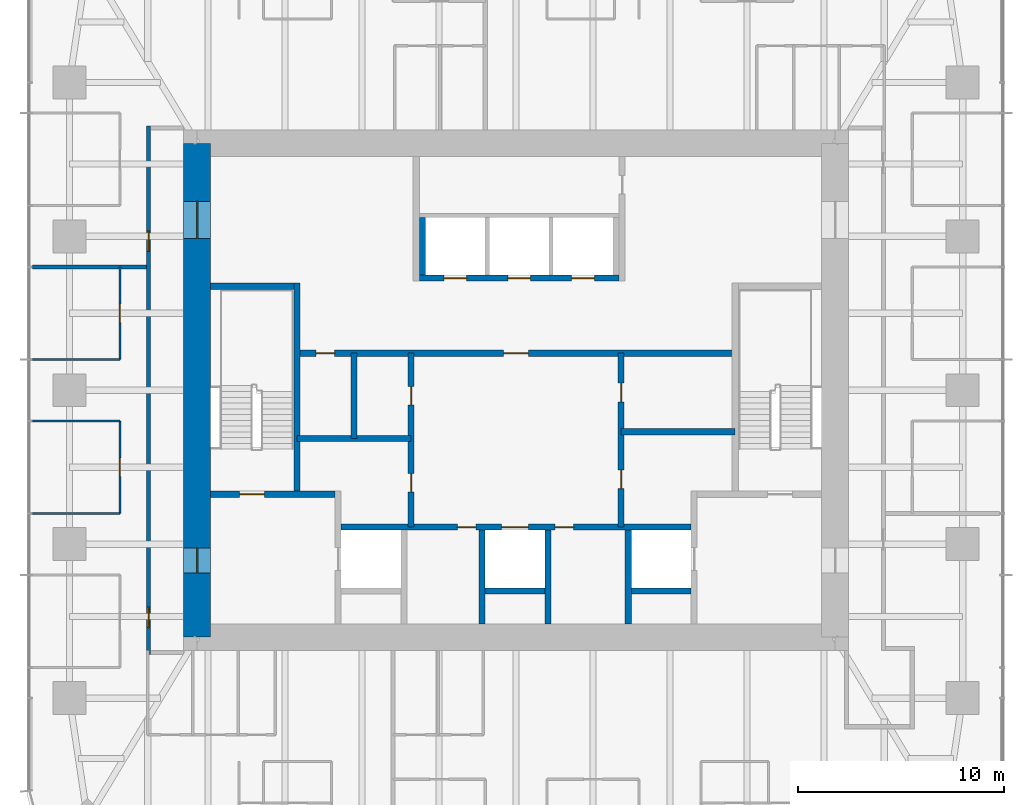
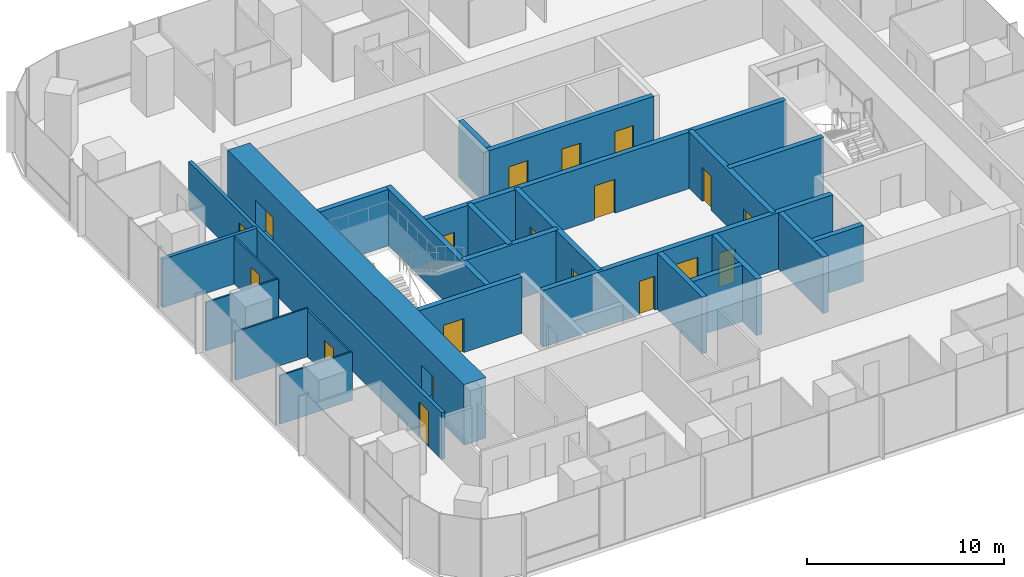
# One storey, part 9 of 12: 25 walls, 19 doors, 19 openings.
"""IFC4 building model written with IfcOpenShell, lengths in metres."""

from ifc_helpers import new_model, si_unit, direction, frame, frame_2d, origin, place, context, subcontext, project, spatial, rectangle, extrude, material, layer, layer_set, type_object, element, fill, save


model = new_model("IFC4")

# Units and contexts
model_context = context("Model", 3, precision=1e-05, world=origin(), true_north=direction((0.0, 1.0)))
body_context = subcontext(model_context, "Body", "Model", "MODEL_VIEW")
ifc_project = project(units=[si_unit("LENGTHUNIT", "METRE"), si_unit("AREAUNIT", "SQUARE_METRE"), si_unit("VOLUMEUNIT", "CUBIC_METRE"), si_unit("PLANEANGLEUNIT", "RADIAN"), si_unit("MASSUNIT", "GRAM", prefix="KILO")], contexts=[model_context])

# Site, building, storey
site_placement = place(None, origin())
site = spatial("IfcSite", under=ifc_project, at=site_placement, CompositionType="ELEMENT")
building_placement = place(site_placement, origin())
building = spatial("IfcBuilding", under=site, at=building_placement, Name="Khuree Lantern Residences", CompositionType="ELEMENT")
storey_placement = place(building_placement, frame((0.0, 0.0, 300.75)))
storey = spatial("IfcBuildingStorey", under=building, at=storey_placement, Name="L75", CompositionType="ELEMENT", Elevation=300.75)

# Wall, openings, doors
ifc_material_1 = material(Name="Dense concrete blockwork", Category="masonry")
ifc_layer_1 = layer(ifc_material_1, 0.300048828125)
ifc_layer_set_1 = layer_set([ifc_layer_1], Name="CORE PARTITION WALL CPW300 EI 120")
wall_type_1 = type_object("IfcWallType", Name="CORE PARTITION WALL CPW300 EI 120", PredefinedType="PARTITIONING", material=ifc_layer_set_1)
wall_1_placement = place(storey_placement, frame((-8.5, -6.64990234375, 0.0), z_axis=(0.0, 0.0, 1.0), x_axis=(1.0, 0.0, 0.0)))
wall_1 = element("IfcWall", 1, at=wall_1_placement, inside=storey, type_object=wall_type_1, Name="L75 CORE WALL FLROW", PredefinedType="PARTITIONING", context=body_context, shape_type="SweptSolid", body=[
    extrude(rectangle(XDim=17.0, YDim=0.300048828125, at=frame_2d((8.5, 0.0))), origin(), (0.0, 0.0, 1.0), 3.5),
])
opening_1_placement = place(wall_1_placement, frame((7.800048828125, 0.0, 0.0)))
opening_1 = element("IfcOpeningElement", 2, at=opening_1_placement, cuts=wall_1, Name="Opening 75-012", PredefinedType="OPENING", context=body_context, shape_type="SweptSolid", body=[
    extrude(rectangle(XDim=1.300048828125, YDim=2.39990234375, at=frame_2d((0.64990234375, 1.199951171875))), frame((0.0, 0.16015625, 0.0), z_axis=(0.0, -1.0, 0.0), x_axis=(1.0, 0.0, 0.0)), (0.0, 0.0, 1.0), 0.320068359375),
])
opening_2_placement = place(wall_1_placement, frame((5.64990234375, 0.0, 0.0)))
opening_2 = element("IfcOpeningElement", 3, at=opening_2_placement, cuts=wall_1, Name="Opening 75-014", PredefinedType="OPENING", context=body_context, shape_type="SweptSolid", body=[
    extrude(rectangle(XDim=0.89990234375, YDim=2.10009765625, at=frame_2d((0.449951171875, 1.050048828125))), frame((0.0, 0.16015625, 0.0), z_axis=(0.0, -1.0, 0.0), x_axis=(1.0, 0.0, 0.0)), (0.0, 0.0, 1.0), 0.320068359375),
])
opening_3_placement = place(wall_1_placement, frame((10.39990234375, 0.0, 0.0)))
opening_3 = element("IfcOpeningElement", 4, at=opening_3_placement, cuts=wall_1, Name="Opening 75-015", PredefinedType="OPENING", context=body_context, shape_type="SweptSolid", body=[
    extrude(rectangle(XDim=0.89990234375, YDim=2.10009765625, at=frame_2d((0.449951171875, 1.050048828125))), frame((0.0, 0.16015625, 0.0), z_axis=(0.0, -1.0, 0.0), x_axis=(1.0, 0.0, 0.0)), (0.0, 0.0, 1.0), 0.320068359375),
])
ifc_material_2 = material(Name="Steel door leaf in steel frame", Category="steel")
door_type_1 = type_object("IfcDoorType", Name="DOOR 900X2100 EI 60", OperationType="SINGLE_SWING_LEFT", PredefinedType="DOOR", material=ifc_material_2)
door_1_placement = place(opening_2_placement, origin())
door_1 = element("IfcDoor", 5, at=door_1_placement, inside=storey, type_object=door_type_1, Name="Refuse chute room door 75-014", OperationType="SINGLE_SWING_LEFT", OverallHeight=2.10009765625, OverallWidth=0.89990234375, PredefinedType="DOOR", context=body_context, shape_type="SweptSolid", body=[
    extrude(rectangle(XDim=0.89990234375, YDim=2.10009765625, at=frame_2d((0.449951171875, 1.050048828125))), frame((0.0, 0.02490234375, 0.0), z_axis=(0.0, -1.0, 0.0), x_axis=(1.0, 0.0, 0.0)), (0.0, 0.0, 1.0), 0.050048828125),
])
fill(opening_2, door_1)
door_type_2 = type_object("IfcDoorType", Name="DOOR 900X2100 EI 60 RIGHT HAND", OperationType="SINGLE_SWING_RIGHT", PredefinedType="DOOR", material=ifc_material_2)
door_2_placement = place(opening_3_placement, origin())
door_2 = element("IfcDoor", 6, at=door_2_placement, inside=storey, type_object=door_type_2, Name="Electrical and plumbing riser door 75-015", OperationType="SINGLE_SWING_RIGHT", OverallHeight=2.10009765625, OverallWidth=0.89990234375, PredefinedType="DOOR", context=body_context, shape_type="SweptSolid", body=[
    extrude(rectangle(XDim=0.89990234375, YDim=2.10009765625, at=frame_2d((0.449951171875, 1.050048828125))), frame((0.0, 0.02490234375, 0.0), z_axis=(0.0, -1.0, 0.0), x_axis=(1.0, 0.0, 0.0)), (0.0, 0.0, 1.0), 0.050048828125),
])
fill(opening_3, door_2)
ifc_material_3 = material(Name="Stainless steel lift landing door", Category="steel")
door_type_3 = type_object("IfcDoorType", Name="LIFT LANDING DOOR 1300X2400 E 60", OperationType="DOUBLE_DOOR_SLIDING", PredefinedType="DOOR", material=ifc_material_3)
door_3_placement = place(opening_1_placement, origin())
door_3 = element("IfcDoor", 7, at=door_3_placement, inside=storey, type_object=door_type_3, Name="Landing door SL1 75-012", OperationType="DOUBLE_DOOR_SLIDING", OverallHeight=2.39990234375, OverallWidth=1.300048828125, PredefinedType="DOOR", context=body_context, shape_type="SweptSolid", body=[
    extrude(rectangle(XDim=1.300048828125, YDim=2.39990234375, at=frame_2d((0.64990234375, 1.199951171875))), frame((0.0, 0.02490234375, 0.0), z_axis=(0.0, -1.0, 0.0), x_axis=(1.0, 0.0, 0.0)), (0.0, 0.0, 1.0), 0.050048828125),
])
fill(opening_1, door_3)

# Walls
for number, where, z_axis, x_axis, name in (
    (8, (-1.64990234375, -11.35009765625, 0.0), (0.0, 0.0, 1.0), (0.0, 1.0, 0.0), "L75 CORE WALL SL1W"),
    (9, (1.550048828125, -11.35009765625, 0.0), (0.0, 0.0, 1.0), (0.0, 1.0, 0.0), "L75 CORE WALL SL1E"),
    (10, (5.449951171875, -11.35009765625, 0.0), (0.0, 0.0, 1.0), (0.0, 1.0, 0.0), "L75 CORE WALL FL2W"),
):
    element("IfcWall", number, at=place(storey_placement, frame(where, z_axis=z_axis, x_axis=x_axis)), inside=storey, type_object=wall_type_1, Name=name, PredefinedType="PARTITIONING", context=body_context, shape_type="SweptSolid", body=[
        extrude(rectangle(XDim=4.550048828125, YDim=0.300048828125, at=frame_2d((2.27490234375, 0.0))), origin(), (0.0, 0.0, 1.0), 3.5),
    ])
for number, where, z_axis, x_axis, name in (
    (11, (-1.5, -9.75, 0.0), (0.0, 0.0, 1.0), (1.0, 0.0, 0.0), "L75 CORE WALL SL1S"),
    (12, (5.60009765625, -9.75, 0.0), (0.0, 0.0, 1.0), (1.0, 0.0, 0.0), "L75 CORE WALL FL2S"),
):
    element("IfcWall", number, at=place(storey_placement, frame(where, z_axis=z_axis, x_axis=x_axis)), inside=storey, type_object=wall_type_1, Name=name, PredefinedType="PARTITIONING", context=body_context, shape_type="SweptSolid", body=[
        extrude(rectangle(XDim=2.89990234375, YDim=0.300048828125, at=frame_2d((1.449951171875, 0.0))), origin(), (0.0, 0.0, 1.0), 3.5),
    ])

# Wall, openings, doors
wall_2_placement = place(storey_placement, frame((-4.699951171875, 5.449951171875, 0.0), z_axis=(0.0, 0.0, 1.0), x_axis=(1.0, 0.0, 0.0)))
wall_2 = element("IfcWall", 13, at=wall_2_placement, inside=storey, type_object=wall_type_1, Name="L75 CORE WALL PHS", PredefinedType="PARTITIONING", context=body_context, shape_type="SweptSolid", body=[
    extrude(rectangle(XDim=9.699951171875, YDim=0.300048828125, at=frame_2d((4.85009765625, 0.0))), origin(), (0.0, 0.0, 1.0), 3.5),
])
opening_4_placement = place(wall_2_placement, frame((1.199951171875, 0.0, 0.0)))
opening_4 = element("IfcOpeningElement", 14, at=opening_4_placement, cuts=wall_2, Name="Opening 75-009", PredefinedType="OPENING", context=body_context, shape_type="SweptSolid", body=[
    extrude(rectangle(XDim=1.10009765625, YDim=2.10009765625, at=frame_2d((0.550048828125, 1.050048828125))), frame((0.0, 0.16015625, 0.0), z_axis=(0.0, -1.0, 0.0), x_axis=(1.0, 0.0, 0.0)), (0.0, 0.0, 1.0), 0.320068359375),
])
opening_5_placement = place(wall_2_placement, frame((4.300048828125, 0.0, 0.0)))
opening_5 = element("IfcOpeningElement", 15, at=opening_5_placement, cuts=wall_2, Name="Opening 75-010", PredefinedType="OPENING", context=body_context, shape_type="SweptSolid", body=[
    extrude(rectangle(XDim=1.10009765625, YDim=2.10009765625, at=frame_2d((0.550048828125, 1.050048828125))), frame((0.0, 0.16015625, 0.0), z_axis=(0.0, -1.0, 0.0), x_axis=(1.0, 0.0, 0.0)), (0.0, 0.0, 1.0), 0.320068359375),
])
opening_6_placement = place(wall_2_placement, frame((7.39990234375, 0.0, 0.0)))
opening_6 = element("IfcOpeningElement", 16, at=opening_6_placement, cuts=wall_2, Name="Opening 75-011", PredefinedType="OPENING", context=body_context, shape_type="SweptSolid", body=[
    extrude(rectangle(XDim=1.10009765625, YDim=2.10009765625, at=frame_2d((0.550048828125, 1.050048828125))), frame((0.0, 0.16015625, 0.0), z_axis=(0.0, -1.0, 0.0), x_axis=(1.0, 0.0, 0.0)), (0.0, 0.0, 1.0), 0.320068359375),
])
door_type_4 = type_object("IfcDoorType", Name="LIFT LANDING DOOR 1100X2100 E 60", OperationType="DOUBLE_DOOR_SLIDING", PredefinedType="DOOR", material=ifc_material_3)
door_4_placement = place(opening_4_placement, origin())
door_4 = element("IfcDoor", 17, at=door_4_placement, inside=storey, type_object=door_type_4, Name="Landing door PH1 75-009", OperationType="DOUBLE_DOOR_SLIDING", OverallHeight=2.10009765625, OverallWidth=1.10009765625, PredefinedType="DOOR", context=body_context, shape_type="SweptSolid", body=[
    extrude(rectangle(XDim=1.10009765625, YDim=2.10009765625, at=frame_2d((0.550048828125, 1.050048828125))), frame((0.0, 0.02490234375, 0.0), z_axis=(0.0, -1.0, 0.0), x_axis=(1.0, 0.0, 0.0)), (0.0, 0.0, 1.0), 0.050048828125),
])
fill(opening_4, door_4)
door_5_placement = place(opening_5_placement, origin())
door_5 = element("IfcDoor", 18, at=door_5_placement, inside=storey, type_object=door_type_4, Name="Landing door PH2 75-010", OperationType="DOUBLE_DOOR_SLIDING", OverallHeight=2.10009765625, OverallWidth=1.10009765625, PredefinedType="DOOR", context=body_context, shape_type="SweptSolid", body=[
    extrude(rectangle(XDim=1.10009765625, YDim=2.10009765625, at=frame_2d((0.550048828125, 1.050048828125))), frame((0.0, 0.02490234375, 0.0), z_axis=(0.0, -1.0, 0.0), x_axis=(1.0, 0.0, 0.0)), (0.0, 0.0, 1.0), 0.050048828125),
])
fill(opening_5, door_5)
door_6_placement = place(opening_6_placement, origin())
door_6 = element("IfcDoor", 19, at=door_6_placement, inside=storey, type_object=door_type_4, Name="Landing door PH3 75-011", OperationType="DOUBLE_DOOR_SLIDING", OverallHeight=2.10009765625, OverallWidth=1.10009765625, PredefinedType="DOOR", context=body_context, shape_type="SweptSolid", body=[
    extrude(rectangle(XDim=1.10009765625, YDim=2.10009765625, at=frame_2d((0.550048828125, 1.050048828125))), frame((0.0, 0.02490234375, 0.0), z_axis=(0.0, -1.0, 0.0), x_axis=(1.0, 0.0, 0.0)), (0.0, 0.0, 1.0), 0.050048828125),
])
fill(opening_6, door_6)

# Wall
wall_3_placement = place(storey_placement, frame((-4.550048828125, 5.60009765625, 0.0), z_axis=(0.0, 0.0, 1.0), x_axis=(0.0, 1.0, 0.0)))
element("IfcWall", 20, at=wall_3_placement, inside=storey, type_object=wall_type_1, Name="L75 CORE WALL PHW", PredefinedType="PARTITIONING", context=body_context, shape_type="SweptSolid", body=[
    extrude(rectangle(XDim=2.7998046875, YDim=0.300048828125, at=frame_2d((1.39990234375, 0.0))), origin(), (0.0, 0.0, 1.0), 3.5),
])

# Wall, openings, doors
wall_4_placement = place(storey_placement, frame((-10.64990234375, 1.800048828125, 0.0), z_axis=(0.0, 0.0, 1.0), x_axis=(1.0, 0.0, 0.0)))
wall_4 = element("IfcWall", 21, at=wall_4_placement, inside=storey, type_object=wall_type_1, Name="L75 CORE WALL LLS", PredefinedType="PARTITIONING", context=body_context, shape_type="SweptSolid", body=[
    extrude(rectangle(XDim=21.2998046875, YDim=0.300048828125, at=frame_2d((10.64990234375, 0.0))), origin(), (0.0, 0.0, 1.0), 3.5),
])
opening_7_placement = place(wall_4_placement, frame((10.050048828125, 0.0, 0.0)))
opening_7 = element("IfcOpeningElement", 22, at=opening_7_placement, cuts=wall_4, Name="Opening 75-013", PredefinedType="OPENING", context=body_context, shape_type="SweptSolid", body=[
    extrude(rectangle(XDim=1.199951171875, YDim=2.10009765625, at=frame_2d((0.60009765625, 1.050048828125))), frame((0.0, 0.16015625, 0.0), z_axis=(0.0, -1.0, 0.0), x_axis=(1.0, 0.0, 0.0)), (0.0, 0.0, 1.0), 0.320068359375),
])
opening_8_placement = place(wall_4_placement, frame((0.93798828125, 0.0, 0.0)))
opening_8 = element("IfcOpeningElement", 23, at=opening_8_placement, cuts=wall_4, Name="Opening 75-018", PredefinedType="OPENING", context=body_context, shape_type="SweptSolid", body=[
    extrude(rectangle(XDim=0.89990234375, YDim=2.10009765625, at=frame_2d((0.449951171875, 1.050048828125))), frame((0.0, 0.16015625, 0.0), z_axis=(0.0, -1.0, 0.0), x_axis=(1.0, 0.0, 0.0)), (0.0, 0.0, 1.0), 0.320068359375),
])
door_type_5 = type_object("IfcDoorType", Name="DOOR 1200X2100 EI 60", OperationType="SINGLE_SWING_LEFT", PredefinedType="DOOR", material=ifc_material_2)
door_7_placement = place(opening_7_placement, origin())
door_7 = element("IfcDoor", 24, at=door_7_placement, inside=storey, type_object=door_type_5, Name="Service lift lobby door 75-013", OperationType="SINGLE_SWING_LEFT", OverallHeight=2.10009765625, OverallWidth=1.199951171875, PredefinedType="DOOR", context=body_context, shape_type="SweptSolid", body=[
    extrude(rectangle(XDim=1.199951171875, YDim=2.10009765625, at=frame_2d((0.60009765625, 1.050048828125))), frame((0.0, 0.02490234375, 0.0), z_axis=(0.0, -1.0, 0.0), x_axis=(1.0, 0.0, 0.0)), (0.0, 0.0, 1.0), 0.050048828125),
])
fill(opening_7, door_7)
ifc_material_4 = material(Name="Timber door leaf in hardwood frame", Category="wood")
door_type_6 = type_object("IfcDoorType", Name="DOOR 900X2100", OperationType="SINGLE_SWING_LEFT", PredefinedType="DOOR", material=ifc_material_4)
door_8_placement = place(opening_8_placement, origin())
door_8 = element("IfcDoor", 25, at=door_8_placement, inside=storey, type_object=door_type_6, Name="IT room door 75-018", OperationType="SINGLE_SWING_LEFT", OverallHeight=2.10009765625, OverallWidth=0.89990234375, PredefinedType="DOOR", context=body_context, shape_type="SweptSolid", body=[
    extrude(rectangle(XDim=0.89990234375, YDim=2.10009765625, at=frame_2d((0.449951171875, 1.050048828125))), frame((0.0, 0.02490234375, 0.0), z_axis=(0.0, -1.0, 0.0), x_axis=(1.0, 0.0, 0.0)), (0.0, 0.0, 1.0), 0.050048828125),
])
fill(opening_8, door_8)

wall_5_placement = place(storey_placement, frame((-5.10009765625, -6.64990234375, 0.0), z_axis=(0.0, 0.0, 1.0), x_axis=(0.0, 1.0, 0.0)))
wall_5 = element("IfcWall", 26, at=wall_5_placement, inside=storey, type_object=wall_type_1, Name="L75 CORE WALL SVW", PredefinedType="PARTITIONING", context=body_context, shape_type="SweptSolid", body=[
    extrude(rectangle(XDim=8.449951171875, YDim=0.300048828125, at=frame_2d((4.22509765625, 0.0))), origin(), (0.0, 0.0, 1.0), 3.5),
])
opening_9_placement = place(wall_5_placement, frame((1.699951171875, 0.0, 0.0)))
opening_9 = element("IfcOpeningElement", 27, at=opening_9_placement, cuts=wall_5, Name="Opening 75-016", PredefinedType="OPENING", context=body_context, shape_type="SweptSolid", body=[
    extrude(rectangle(XDim=0.89990234375, YDim=2.10009765625, at=frame_2d((0.449951171875, 1.050048828125))), frame((0.0, 0.16015625, 0.0), z_axis=(0.0, -1.0, 0.0), x_axis=(1.0, 0.0, 0.0)), (0.0, 0.0, 1.0), 0.320068359375),
])
opening_10_placement = place(wall_5_placement, frame((5.925048828125, 0.0, 0.0)))
opening_10 = element("IfcOpeningElement", 28, at=opening_10_placement, cuts=wall_5, Name="Opening 75-017", PredefinedType="OPENING", context=body_context, shape_type="SweptSolid", body=[
    extrude(rectangle(XDim=0.89990234375, YDim=2.10009765625, at=frame_2d((0.449951171875, 1.050048828125))), frame((0.0, 0.16015625, 0.0), z_axis=(0.0, -1.0, 0.0), x_axis=(1.0, 0.0, 0.0)), (0.0, 0.0, 1.0), 0.320068359375),
])
door_9_placement = place(opening_9_placement, origin())
door_9 = element("IfcDoor", 29, at=door_9_placement, inside=storey, type_object=door_type_6, Name="Bulky waste store door 75-016", OperationType="SINGLE_SWING_LEFT", OverallHeight=2.10009765625, OverallWidth=0.89990234375, PredefinedType="DOOR", context=body_context, shape_type="SweptSolid", body=[
    extrude(rectangle(XDim=0.89990234375, YDim=2.10009765625, at=frame_2d((0.449951171875, 1.050048828125))), frame((0.0, 0.02490234375, 0.0), z_axis=(0.0, -1.0, 0.0), x_axis=(1.0, 0.0, 0.0)), (0.0, 0.0, 1.0), 0.050048828125),
])
fill(opening_9, door_9)
door_10_placement = place(opening_10_placement, origin())
door_10 = element("IfcDoor", 30, at=door_10_placement, inside=storey, type_object=door_type_6, Name="Building management room door 75-017", OperationType="SINGLE_SWING_LEFT", OverallHeight=2.10009765625, OverallWidth=0.89990234375, PredefinedType="DOOR", context=body_context, shape_type="SweptSolid", body=[
    extrude(rectangle(XDim=0.89990234375, YDim=2.10009765625, at=frame_2d((0.449951171875, 1.050048828125))), frame((0.0, 0.02490234375, 0.0), z_axis=(0.0, -1.0, 0.0), x_axis=(1.0, 0.0, 0.0)), (0.0, 0.0, 1.0), 0.050048828125),
])
fill(opening_10, door_10)

wall_6_placement = place(storey_placement, frame((5.10009765625, -6.64990234375, 0.0), z_axis=(0.0, 0.0, 1.0), x_axis=(0.0, 1.0, 0.0)))
wall_6 = element("IfcWall", 31, at=wall_6_placement, inside=storey, type_object=wall_type_1, Name="L75 CORE WALL SVE", PredefinedType="PARTITIONING", context=body_context, shape_type="SweptSolid", body=[
    extrude(rectangle(XDim=8.449951171875, YDim=0.300048828125, at=frame_2d((4.22509765625, 0.0))), origin(), (0.0, 0.0, 1.0), 3.5),
])
opening_11_placement = place(wall_6_placement, frame((1.865966796875, 0.0, 0.0)))
opening_11 = element("IfcOpeningElement", 32, at=opening_11_placement, cuts=wall_6, Name="Opening 75-019", PredefinedType="OPENING", context=body_context, shape_type="SweptSolid", body=[
    extrude(rectangle(XDim=0.89990234375, YDim=2.10009765625, at=frame_2d((0.449951171875, 1.050048828125))), frame((0.0, 0.16015625, 0.0), z_axis=(0.0, -1.0, 0.0), x_axis=(1.0, 0.0, 0.0)), (0.0, 0.0, 1.0), 0.320068359375),
])
opening_12_placement = place(wall_6_placement, frame((6.091064453125, 0.0, 0.0)))
opening_12 = element("IfcOpeningElement", 33, at=opening_12_placement, cuts=wall_6, Name="Opening 75-020", PredefinedType="OPENING", context=body_context, shape_type="SweptSolid", body=[
    extrude(rectangle(XDim=0.89990234375, YDim=2.10009765625, at=frame_2d((0.449951171875, 1.050048828125))), frame((0.0, 0.16015625, 0.0), z_axis=(0.0, -1.0, 0.0), x_axis=(1.0, 0.0, 0.0)), (0.0, 0.0, 1.0), 0.320068359375),
])
door_11_placement = place(opening_11_placement, origin())
door_11 = element("IfcDoor", 34, at=door_11_placement, inside=storey, type_object=door_type_6, Name="Parcel room door 75-019", OperationType="SINGLE_SWING_LEFT", OverallHeight=2.10009765625, OverallWidth=0.89990234375, PredefinedType="DOOR", context=body_context, shape_type="SweptSolid", body=[
    extrude(rectangle(XDim=0.89990234375, YDim=2.10009765625, at=frame_2d((0.449951171875, 1.050048828125))), frame((0.0, 0.02490234375, 0.0), z_axis=(0.0, -1.0, 0.0), x_axis=(1.0, 0.0, 0.0)), (0.0, 0.0, 1.0), 0.050048828125),
])
fill(opening_11, door_11)
door_type_7 = type_object("IfcDoorType", Name="DOOR 900X2100 RIGHT HAND", OperationType="SINGLE_SWING_RIGHT", PredefinedType="DOOR", material=ifc_material_4)
door_12_placement = place(opening_12_placement, origin())
door_12 = element("IfcDoor", 35, at=door_12_placement, inside=storey, type_object=door_type_7, Name="Bulky waste store door 75-020", OperationType="SINGLE_SWING_RIGHT", OverallHeight=2.10009765625, OverallWidth=0.89990234375, PredefinedType="DOOR", context=body_context, shape_type="SweptSolid", body=[
    extrude(rectangle(XDim=0.89990234375, YDim=2.10009765625, at=frame_2d((0.449951171875, 1.050048828125))), frame((0.0, 0.02490234375, 0.0), z_axis=(0.0, -1.0, 0.0), x_axis=(1.0, 0.0, 0.0)), (0.0, 0.0, 1.0), 0.050048828125),
])
fill(opening_12, door_12)

# Walls
wall_7_placement = place(storey_placement, frame((-10.64990234375, -2.35009765625, 0.0), z_axis=(0.0, 0.0, 1.0), x_axis=(1.0, 0.0, 0.0)))
element("IfcWall", 36, at=wall_7_placement, inside=storey, type_object=wall_type_1, Name="L75 CORE WALL WX", PredefinedType="PARTITIONING", context=body_context, shape_type="SweptSolid", body=[
    extrude(rectangle(XDim=5.5498046875, YDim=0.300048828125, at=frame_2d((2.77490234375, 0.0))), origin(), (0.0, 0.0, 1.0), 3.5),
])
wall_8_placement = place(storey_placement, frame((-7.875, -2.35009765625, 0.0), z_axis=(0.0, 0.0, 1.0), x_axis=(0.0, 1.0, 0.0)))
element("IfcWall", 37, at=wall_8_placement, inside=storey, type_object=wall_type_1, Name="L75 CORE WALL WV", PredefinedType="PARTITIONING", context=body_context, shape_type="SweptSolid", body=[
    extrude(rectangle(XDim=4.150146484375, YDim=0.300048828125, at=frame_2d((2.0751953125, 0.0))), origin(), (0.0, 0.0, 1.0), 3.5),
])
wall_9_placement = place(storey_placement, frame((10.64990234375, -2.01806640625, 0.0), z_axis=(0.0, 0.0, 1.0), x_axis=(-1.0, 0.0, 0.0)))
element("IfcWall", 38, at=wall_9_placement, inside=storey, type_object=wall_type_1, Name="L75 CORE WALL EX", PredefinedType="PARTITIONING", context=body_context, shape_type="SweptSolid", body=[
    extrude(rectangle(XDim=5.5498046875, YDim=0.300048828125, at=frame_2d((2.77490234375, 0.0))), origin(), (0.0, 0.0, 1.0), 3.5),
])

# Wall, openings, doors
ifc_material_5 = material(Name="Gypsum board on steel studs", Category="steel")
ifc_layer_2 = layer(ifc_material_5, 0.199951171875)
ifc_layer_set_2 = layer_set([ifc_layer_2], Name="CORRIDOR WALL CRW200 EI 60")
wall_type_2 = type_object("IfcWallType", Name="CORRIDOR WALL CRW200 EI 60", PredefinedType="PARTITIONING", material=ifc_layer_set_2)
wall_10_placement = place(storey_placement, frame((-17.85009765625, 12.85009765625, 0.0), z_axis=(0.0, 0.0, 1.0), x_axis=(0.0, -1.0, 0.0)))
wall_10 = element("IfcWall", 39, at=wall_10_placement, inside=storey, type_object=wall_type_2, Name="L75 CORRIDOR WALL WEST 1", PredefinedType="PARTITIONING", context=body_context, shape_type="SweptSolid", body=[
    extrude(rectangle(XDim=25.7001953125, YDim=0.199951171875, at=frame_2d((12.85009765625, 0.0))), origin(), (0.0, 0.0, 1.0), 2.89990234375),
])
opening_13_placement = place(wall_10_placement, frame((5.10009765625, 0.0, 0.0)))
opening_13 = element("IfcOpeningElement", 40, at=opening_13_placement, cuts=wall_10, Name="Opening 75-038", PredefinedType="OPENING", context=body_context, shape_type="SweptSolid", body=[
    extrude(rectangle(XDim=1.0, YDim=2.199951171875, at=frame_2d((0.5, 1.10009765625))), frame((0.0, 0.10986328125, 0.0), z_axis=(0.0, -1.0, 0.0), x_axis=(1.0, 0.0, 0.0)), (0.0, 0.0, 1.0), 0.219970703125),
])
opening_14_placement = place(wall_10_placement, frame((23.385986328125, 0.0, 0.0)))
opening_14 = element("IfcOpeningElement", 41, at=opening_14_placement, cuts=wall_10, Name="Opening 75-047", PredefinedType="OPENING", context=body_context, shape_type="SweptSolid", body=[
    extrude(rectangle(XDim=1.0, YDim=2.199951171875, at=frame_2d((0.5, 1.10009765625))), frame((0.0, 0.10986328125, 0.0), z_axis=(0.0, -1.0, 0.0), x_axis=(1.0, 0.0, 0.0)), (0.0, 0.0, 1.0), 0.219970703125),
])
door_type_8 = type_object("IfcDoorType", Name="APARTMENT ENTRANCE DOOR 1000X2200 EI 30S", OperationType="SINGLE_SWING_LEFT", PredefinedType="DOOR", material=ifc_material_4)
door_13_placement = place(opening_13_placement, origin())
door_13 = element("IfcDoor", 42, at=door_13_placement, inside=storey, type_object=door_type_8, Name="Apartment 02 entrance door 75-038", OperationType="SINGLE_SWING_LEFT", OverallHeight=2.199951171875, OverallWidth=1.0, PredefinedType="DOOR", context=body_context, shape_type="SweptSolid", body=[
    extrude(rectangle(XDim=1.0, YDim=2.199951171875, at=frame_2d((0.5, 1.10009765625))), frame((0.0, 0.02490234375, 0.0), z_axis=(0.0, -1.0, 0.0), x_axis=(1.0, 0.0, 0.0)), (0.0, 0.0, 1.0), 0.050048828125),
])
fill(opening_13, door_13)
door_type_9 = type_object("IfcDoorType", Name="APARTMENT ENTRANCE DOOR 1000X2200 EI 30S RIGHT HAND", OperationType="SINGLE_SWING_RIGHT", PredefinedType="DOOR", material=ifc_material_4)
door_14_placement = place(opening_14_placement, origin())
door_14 = element("IfcDoor", 43, at=door_14_placement, inside=storey, type_object=door_type_9, Name="Apartment 03 entrance door 75-047", OperationType="SINGLE_SWING_RIGHT", OverallHeight=2.199951171875, OverallWidth=1.0, PredefinedType="DOOR", context=body_context, shape_type="SweptSolid", body=[
    extrude(rectangle(XDim=1.0, YDim=2.199951171875, at=frame_2d((0.5, 1.10009765625))), frame((0.0, 0.02490234375, 0.0), z_axis=(0.0, -1.0, 0.0), x_axis=(1.0, 0.0, 0.0)), (0.0, 0.0, 1.0), 0.050048828125),
])
fill(opening_14, door_14)

ifc_material_6 = material(Name="Concrete C50/60", Category="concrete")
ifc_layer_3 = layer(ifc_material_6, 1.300048828125)
ifc_layer_set_3 = layer_set([ifc_layer_3], Name="CW1300-C50 CORE WALL C50 1300")
wall_type_3 = type_object("IfcWallType", Name="CW1300-C50 CORE WALL C50 1300", PredefinedType="SHEAR", material=ifc_layer_set_3)
wall_11_placement = place(storey_placement, frame((-15.5, -12.0, -0.25), z_axis=(0.0, 0.0, 1.0), x_axis=(0.0, 1.0, 0.0)))
wall_11 = element("IfcWall", 44, at=wall_11_placement, inside=storey, type_object=wall_type_3, Name="Core wall W", PredefinedType="SHEAR", context=body_context, shape_type="SweptSolid", body=[
    extrude(rectangle(XDim=24.0, YDim=1.300048828125, at=frame_2d((12.0, 0.0))), origin(), (0.0, 0.0, 1.0), 3.75),
])
opening_15_placement = place(wall_11_placement, frame((3.125, 0.0, 0.25)))
opening_15 = element("IfcOpeningElement", 45, at=opening_15_placement, cuts=wall_11, Name="Opening 75-002", PredefinedType="OPENING", context=body_context, shape_type="SweptSolid", body=[
    extrude(rectangle(XDim=1.199951171875, YDim=2.10009765625, at=frame_2d((0.60009765625, 1.050048828125))), frame((0.0, 0.66015625, 0.0), z_axis=(0.0, -1.0, 0.0), x_axis=(1.0, 0.0, 0.0)), (0.0, 0.0, 1.0), 1.320068359375),
])
opening_16_placement = place(wall_11_placement, frame((19.375, 0.0, 0.25)))
opening_16 = element("IfcOpeningElement", 46, at=opening_16_placement, cuts=wall_11, Name="Opening 75-003", PredefinedType="OPENING", context=body_context, shape_type="SweptSolid", body=[
    extrude(rectangle(XDim=1.800048828125, YDim=2.10009765625, at=frame_2d((0.89990234375, 1.050048828125))), frame((0.0, 0.66015625, 0.0), z_axis=(0.0, -1.0, 0.0), x_axis=(1.0, 0.0, 0.0)), (0.0, 0.0, 1.0), 1.320068359375),
])
door_type_10 = type_object("IfcDoorType", Name="LOBBY DOOR 1200X2100 EI 120", OperationType="SINGLE_SWING_LEFT", PredefinedType="DOOR", material=ifc_material_2)
door_15_placement = place(opening_15_placement, origin())
door_15 = element("IfcDoor", 47, at=door_15_placement, inside=storey, type_object=door_type_10, Name="Firefighting lobby door 75-002", OperationType="SINGLE_SWING_LEFT", OverallHeight=2.10009765625, OverallWidth=1.199951171875, PredefinedType="DOOR", context=body_context, shape_type="SweptSolid", body=[
    extrude(rectangle(XDim=1.199951171875, YDim=2.10009765625, at=frame_2d((0.60009765625, 1.050048828125))), frame((0.0, 0.02490234375, 0.0), z_axis=(0.0, -1.0, 0.0), x_axis=(1.0, 0.0, 0.0)), (0.0, 0.0, 1.0), 0.050048828125),
])
fill(opening_15, door_15)
door_type_11 = type_object("IfcDoorType", Name="LOBBY DOUBLE DOOR 1800X2100 EI 60", OperationType="DOUBLE_DOOR_SINGLE_SWING", PredefinedType="DOOR", material=ifc_material_2)
door_16_placement = place(opening_16_placement, origin())
door_16 = element("IfcDoor", 48, at=door_16_placement, inside=storey, type_object=door_type_11, Name="Lift lobby door 75-003", OperationType="DOUBLE_DOOR_SINGLE_SWING", OverallHeight=2.10009765625, OverallWidth=1.800048828125, PredefinedType="DOOR", context=body_context, shape_type="SweptSolid", body=[
    extrude(rectangle(XDim=1.800048828125, YDim=2.10009765625, at=frame_2d((0.89990234375, 1.050048828125))), frame((0.0, 0.02490234375, 0.0), z_axis=(0.0, -1.0, 0.0), x_axis=(1.0, 0.0, 0.0)), (0.0, 0.0, 1.0), 0.050048828125),
])
fill(opening_16, door_16)

# Walls
ifc_layer_4 = layer(ifc_material_5, 0.199951171875)
ifc_layer_set_4 = layer_set([ifc_layer_4], Name="DEMISING WALL DMW200 EI 90")
wall_type_4 = type_object("IfcWallType", Name="DEMISING WALL DMW200 EI 90", PredefinedType="PARTITIONING", material=ifc_layer_set_4)
wall_12_placement = place(storey_placement, frame((-17.949951171875, 5.98388671875, 0.0), z_axis=(0.0, 0.0, 1.0), x_axis=(-1.0, 0.0, 0.0)))
element("IfcWall", 49, at=wall_12_placement, inside=storey, type_object=wall_type_4, Name="L75 DEMISING WALL 03", PredefinedType="PARTITIONING", context=body_context, shape_type="SweptSolid", body=[
    extrude(rectangle(XDim=5.550048828125, YDim=0.199951171875, at=frame_2d((2.77490234375, 0.0))), origin(), (0.0, 0.0, 1.0), 3.010009765625),
])
ifc_layer_5 = layer(ifc_material_5, 0.10009765625)
ifc_layer_set_5 = layer_set([ifc_layer_5], Name="PARTITION PT100")
wall_type_5 = type_object("IfcWallType", Name="PARTITION PT100", PredefinedType="PARTITIONING", material=ifc_layer_set_5)
for number, where, z_axis, x_axis, name in (
    (50, (-19.25, 1.49609375, 0.0), (0.0, 0.0, 1.0), (-1.0, 0.0, 0.0), "L75 PARTITION 03"),
    (51, (-19.25, -1.49609375, 0.0), (0.0, 0.0, 1.0), (-1.0, 0.0, 0.0), "L75 PARTITION 03"),
    (52, (-19.25, -5.98388671875, 0.0), (0.0, 0.0, 1.0), (-1.0, 0.0, 0.0), "L75 PARTITION 03"),
):
    element("IfcWall", number, at=place(storey_placement, frame(where, z_axis=z_axis, x_axis=x_axis)), inside=storey, type_object=wall_type_5, Name=name, PredefinedType="PARTITIONING", context=body_context, shape_type="SweptSolid", body=[
        extrude(rectangle(XDim=4.25, YDim=0.10009765625, at=frame_2d((2.125, 0.0))), origin(), (0.0, 0.0, 1.0), 3.010009765625),
    ])

# Wall, opening, door
wall_13_placement = place(storey_placement, frame((-19.25, 5.98388671875, 0.0), z_axis=(0.0, 0.0, 1.0), x_axis=(0.0, -1.0, 0.0)))
wall_13 = element("IfcWall", 53, at=wall_13_placement, inside=storey, type_object=wall_type_5, Name="L75 PARTITION 03", PredefinedType="PARTITIONING", context=body_context, shape_type="SweptSolid", body=[
    extrude(rectangle(XDim=4.48779296875, YDim=0.10009765625, at=frame_2d((2.243896484375, 0.0))), origin(), (0.0, 0.0, 1.0), 2.909912109375),
])
opening_17_placement = place(wall_13_placement, frame((1.7939453125, 0.0, 0.0)))
opening_17 = element("IfcOpeningElement", 54, at=opening_17_placement, cuts=wall_13, Name="Opening 75-039", PredefinedType="OPENING", context=body_context, shape_type="SweptSolid", body=[
    extrude(rectangle(XDim=0.89990234375, YDim=2.10009765625, at=frame_2d((0.449951171875, 1.050048828125))), frame((0.0, 0.06005859375, 0.0), z_axis=(0.0, -1.0, 0.0), x_axis=(1.0, 0.0, 0.0)), (0.0, 0.0, 1.0), 0.1201171875),
])
door_type_12 = type_object("IfcDoorType", Name="BEDROOM DOOR 900X2100", OperationType="SINGLE_SWING_LEFT", PredefinedType="DOOR", material=ifc_material_4)
door_17_placement = place(opening_17_placement, origin())
door_17 = element("IfcDoor", 55, at=door_17_placement, inside=storey, type_object=door_type_12, Name="Bedroom door 75-039", OperationType="SINGLE_SWING_LEFT", OverallHeight=2.10009765625, OverallWidth=0.89990234375, PredefinedType="DOOR", context=body_context, shape_type="SweptSolid", body=[
    extrude(rectangle(XDim=0.89990234375, YDim=2.10009765625, at=frame_2d((0.449951171875, 1.050048828125))), frame((0.0, 0.02490234375, 0.0), z_axis=(0.0, -1.0, 0.0), x_axis=(1.0, 0.0, 0.0)), (0.0, 0.0, 1.0), 0.050048828125),
])
fill(opening_17, door_17)

wall_14_placement = place(storey_placement, frame((-19.25, -1.49609375, 0.0), z_axis=(0.0, 0.0, 1.0), x_axis=(0.0, -1.0, 0.0)))
wall_14 = element("IfcWall", 56, at=wall_14_placement, inside=storey, type_object=wall_type_5, Name="L75 PARTITION 03", PredefinedType="PARTITIONING", context=body_context, shape_type="SweptSolid", body=[
    extrude(rectangle(XDim=4.48779296875, YDim=0.10009765625, at=frame_2d((2.243896484375, 0.0))), origin(), (0.0, 0.0, 1.0), 2.909912109375),
])
opening_18_placement = place(wall_14_placement, frame((1.7939453125, 0.0, 0.0)))
opening_18 = element("IfcOpeningElement", 57, at=opening_18_placement, cuts=wall_14, Name="Opening 75-040", PredefinedType="OPENING", context=body_context, shape_type="SweptSolid", body=[
    extrude(rectangle(XDim=0.89990234375, YDim=2.10009765625, at=frame_2d((0.449951171875, 1.050048828125))), frame((0.0, 0.06005859375, 0.0), z_axis=(0.0, -1.0, 0.0), x_axis=(1.0, 0.0, 0.0)), (0.0, 0.0, 1.0), 0.1201171875),
])
door_18_placement = place(opening_18_placement, origin())
door_18 = element("IfcDoor", 58, at=door_18_placement, inside=storey, type_object=door_type_12, Name="Bedroom door 75-040", OperationType="SINGLE_SWING_LEFT", OverallHeight=2.10009765625, OverallWidth=0.89990234375, PredefinedType="DOOR", context=body_context, shape_type="SweptSolid", body=[
    extrude(rectangle(XDim=0.89990234375, YDim=2.10009765625, at=frame_2d((0.449951171875, 1.050048828125))), frame((0.0, 0.02490234375, 0.0), z_axis=(0.0, -1.0, 0.0), x_axis=(1.0, 0.0, 0.0)), (0.0, 0.0, 1.0), 0.050048828125),
])
fill(opening_18, door_18)

# Wall
ifc_layer_6 = layer(ifc_material_6, 0.300048828125)
ifc_layer_set_6 = layer_set([ifc_layer_6], Name="STAIR WALL SRW300 C50/60 REI 240")
wall_type_6 = type_object("IfcWallType", Name="STAIR WALL SRW300 C50/60 REI 240", PredefinedType="SOLIDWALL", material=ifc_layer_set_6)
wall_15_placement = place(storey_placement, frame((-10.64990234375, -4.89990234375, 0.0), z_axis=(0.0, 0.0, 1.0), x_axis=(0.0, 1.0, 0.0)))
element("IfcWall", 59, at=wall_15_placement, inside=storey, type_object=wall_type_6, Name="L75 STAIR WALL ST1E", PredefinedType="SOLIDWALL", context=body_context, shape_type="SweptSolid", body=[
    extrude(rectangle(XDim=10.099853515625, YDim=0.300048828125, at=frame_2d((5.0498046875, 0.0))), origin(), (0.0, 0.0, 1.0), 3.5),
])

# Wall, opening, door
wall_16_placement = place(storey_placement, frame((-14.85009765625, -5.050048828125, 0.0), z_axis=(0.0, 0.0, 1.0), x_axis=(1.0, 0.0, 0.0)))
wall_16 = element("IfcWall", 60, at=wall_16_placement, inside=storey, type_object=wall_type_6, Name="L75 STAIR WALL ST1S", PredefinedType="SOLIDWALL", context=body_context, shape_type="SweptSolid", body=[
    extrude(rectangle(XDim=6.050048828125, YDim=0.300048828125, at=frame_2d((3.02490234375, 0.0))), origin(), (0.0, 0.0, 1.0), 3.5),
])
opening_19_placement = place(wall_16_placement, frame((1.425048828125, 0.0, 0.0)))
opening_19 = element("IfcOpeningElement", 61, at=opening_19_placement, cuts=wall_16, Name="Opening 75-001", PredefinedType="OPENING", context=body_context, shape_type="SweptSolid", body=[
    extrude(rectangle(XDim=1.199951171875, YDim=2.10009765625, at=frame_2d((0.60009765625, 1.050048828125))), frame((0.0, 0.16015625, 0.0), z_axis=(0.0, -1.0, 0.0), x_axis=(1.0, 0.0, 0.0)), (0.0, 0.0, 1.0), 0.320068359375),
])
door_type_13 = type_object("IfcDoorType", Name="STAIR DOOR 1200X2100 EI 120", OperationType="SINGLE_SWING_LEFT", PredefinedType="DOOR", material=ifc_material_2)
door_19_placement = place(opening_19_placement, origin())
door_19 = element("IfcDoor", 62, at=door_19_placement, inside=storey, type_object=door_type_13, Name="Stair ST1 door 75-001", OperationType="SINGLE_SWING_LEFT", OverallHeight=2.10009765625, OverallWidth=1.199951171875, PredefinedType="DOOR", context=body_context, shape_type="SweptSolid", body=[
    extrude(rectangle(XDim=1.199951171875, YDim=2.10009765625, at=frame_2d((0.60009765625, 1.050048828125))), frame((0.0, 0.02490234375, 0.0), z_axis=(0.0, -1.0, 0.0), x_axis=(1.0, 0.0, 0.0)), (0.0, 0.0, 1.0), 0.050048828125),
])
fill(opening_19, door_19)

# Wall
wall_17_placement = place(storey_placement, frame((-14.85009765625, 5.050048828125, 0.0), z_axis=(0.0, 0.0, 1.0), x_axis=(1.0, 0.0, 0.0)))
element("IfcWall", 63, at=wall_17_placement, inside=storey, type_object=wall_type_6, Name="L75 STAIR WALL ST1N", PredefinedType="SOLIDWALL", context=body_context, shape_type="SweptSolid", body=[
    extrude(rectangle(XDim=4.050048828125, YDim=0.300048828125, at=frame_2d((2.02490234375, 0.0))), origin(), (0.0, 0.0, 1.0), 3.5),
])

save(model, "model.ifc")
